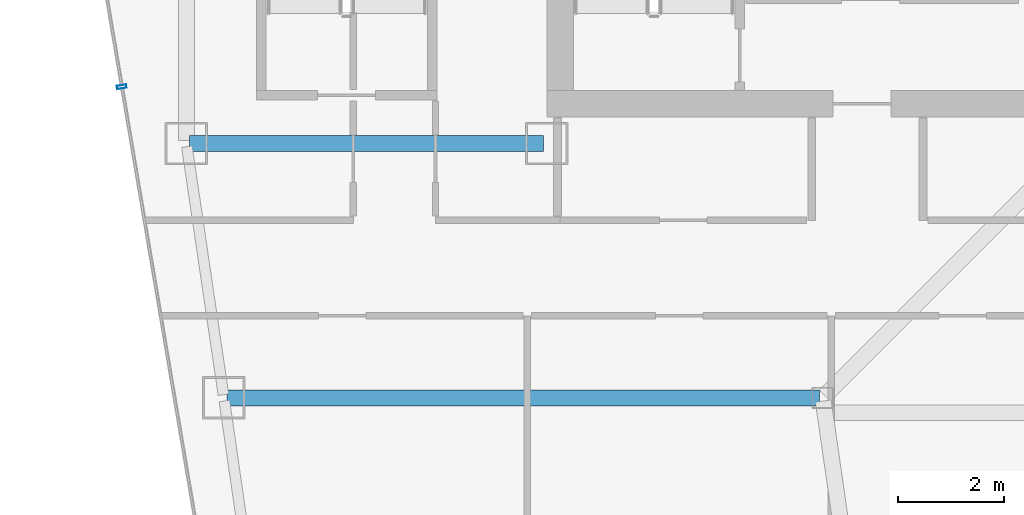
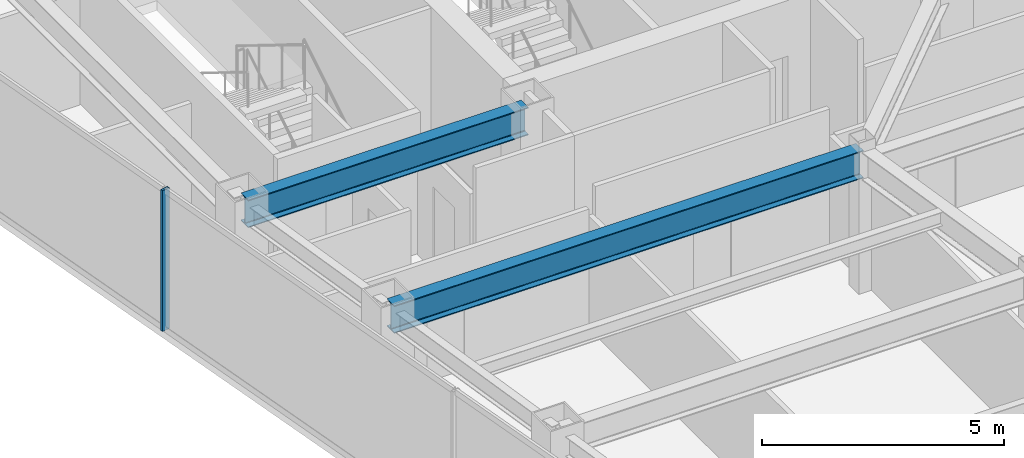
# One storey, part 11 of 36: 2 beams, 1 member, 1 element without a shape of its own.
"""IFC4 building model written with IfcOpenShell, lengths in metres."""

from ifc_helpers import new_model, si_unit, direction, frame, origin, origin_2d, place, context, subcontext, project, spatial, hollow_rectangle, i_section, extrude, material, material_profile, profile_set, type_object, element, aggregate, save


model = new_model("IFC4")

# Units and contexts
model_context = context("Model", 3, precision=1e-05, world=origin(), true_north=direction((0.0, 1.0)))
body_context = subcontext(model_context, "Body", "Model", "MODEL_VIEW")
ifc_project = project(units=[si_unit("LENGTHUNIT", "METRE"), si_unit("AREAUNIT", "SQUARE_METRE"), si_unit("VOLUMEUNIT", "CUBIC_METRE"), si_unit("PLANEANGLEUNIT", "RADIAN"), si_unit("MASSUNIT", "GRAM", prefix="KILO")], contexts=[model_context])

# Site, building, storey
site_placement = place(None, origin())
site = spatial("IfcSite", under=ifc_project, at=site_placement, CompositionType="ELEMENT")
building_placement = place(site_placement, origin())
building = spatial("IfcBuilding", under=site, at=building_placement, Name="Saevonmaru Cultural Tower", CompositionType="ELEMENT")
storey_placement = place(building_placement, frame((0.0, 0.0, 182.800048828125)))
storey = spatial("IfcBuildingStorey", under=building, at=storey_placement, Name="L41", CompositionType="ELEMENT", Elevation=182.800048828125)

# Beams
ifc_material_1 = material(Name="Steel SM355", Category="steel")
ifc_material_profile_1 = material_profile(ifc_material_1, i_section(OverallWidth=0.300048828125, OverallDepth=0.699951171875, WebThickness=0.012939453125, FlangeThickness=0.02392578125, FilletRadius=0.02587890625, at=origin_2d()), Name="H-700x300x13x24")
ifc_profile_set_1 = profile_set([ifc_material_profile_1], Name="Steel SM355")
beam_type = type_object("IfcBeamType", Name="BM-G-H700", PredefinedType="BEAM", material=ifc_profile_set_1)
beam_1_placement = place(storey_placement, frame((6.860107421875, 42.39990234375, 3.199951171875), z_axis=(1.0, 0.0, 0.0), x_axis=(0.0, 1.0, 0.0)))
element("IfcBeam", 1, at=beam_1_placement, inside=storey, type_object=beam_type, Name="L41 Core South Girder 1", PredefinedType="BEAM", context=body_context, shape_type="SweptSolid", body=[
    extrude(i_section(OverallWidth=0.300048828125, OverallDepth=0.699951171875, WebThickness=0.012939453125, FlangeThickness=0.02392578125, FilletRadius=0.02587890625, at=origin_2d()), origin(), (0.0, 0.0, 1.0), 6.679931640625),
])
beam_2_placement = place(storey_placement, frame((7.568115234375, 37.60009765625, 3.199951171875), z_axis=(1.0, 0.0, 0.0), x_axis=(0.0, 1.0, 0.0)))
element("IfcBeam", 2, at=beam_2_placement, inside=storey, type_object=beam_type, Name="L41 West Wing Transverse Girder 4", PredefinedType="BEAM", context=body_context, shape_type="SweptSolid", body=[
    extrude(i_section(OverallWidth=0.300048828125, OverallDepth=0.699951171875, WebThickness=0.012939453125, FlangeThickness=0.02392578125, FilletRadius=0.02587890625, at=origin_2d()), origin(), (0.0, 0.0, 1.0), 11.179931640625),
])

# Curtain wall, member
ifc_material_2 = material(Name="Satin Bronze Anodised Aluminium", Category="aluminium")
curtain_wall_type = type_object("IfcCurtainWallType", Name="CW-TYP-B", PredefinedType="NOTDEFINED", material=ifc_material_2)
curtain_wall_placement = place(storey_placement, origin())
curtain_wall = element("IfcCurtainWall", 3, at=curtain_wall_placement, inside=storey, type_object=curtain_wall_type, Name="L41 Unitised Curtain Wall E12", PredefinedType="NOTDEFINED")
ifc_material_profile_2 = material_profile(ifc_material_2, hollow_rectangle(XDim=0.06494140625, YDim=0.179931640625, WallThickness=0.00390625, at=origin_2d()), Name="ALU-MULL-180x65x4")
ifc_profile_set_2 = profile_set([ifc_material_profile_2], Name="Satin Bronze Anodised Aluminium")
member_type = type_object("IfcMemberType", Name="ML-CW-180x65", PredefinedType="MULLION", material=ifc_profile_set_2)
member_placement = place(storey_placement, frame((5.579345703125, 43.470458984375, 0.0), z_axis=(0.0, 0.0, 1.0), x_axis=(0.16692169721, -0.985970155228, 0.0)))
member = element("IfcMember", 4, at=member_placement, type_object=member_type, Name="CW-TW-L41-E12 mullion 2", PredefinedType="MULLION", context=body_context, shape_type="SweptSolid", body=[
    extrude(hollow_rectangle(XDim=0.06494140625, YDim=0.179931640625, WallThickness=0.00390625, at=origin_2d()), origin(), (0.0, 0.0, 1.0), 3.550048828125),
])
aggregate(curtain_wall, [member])

save(model, "model.ifc")
